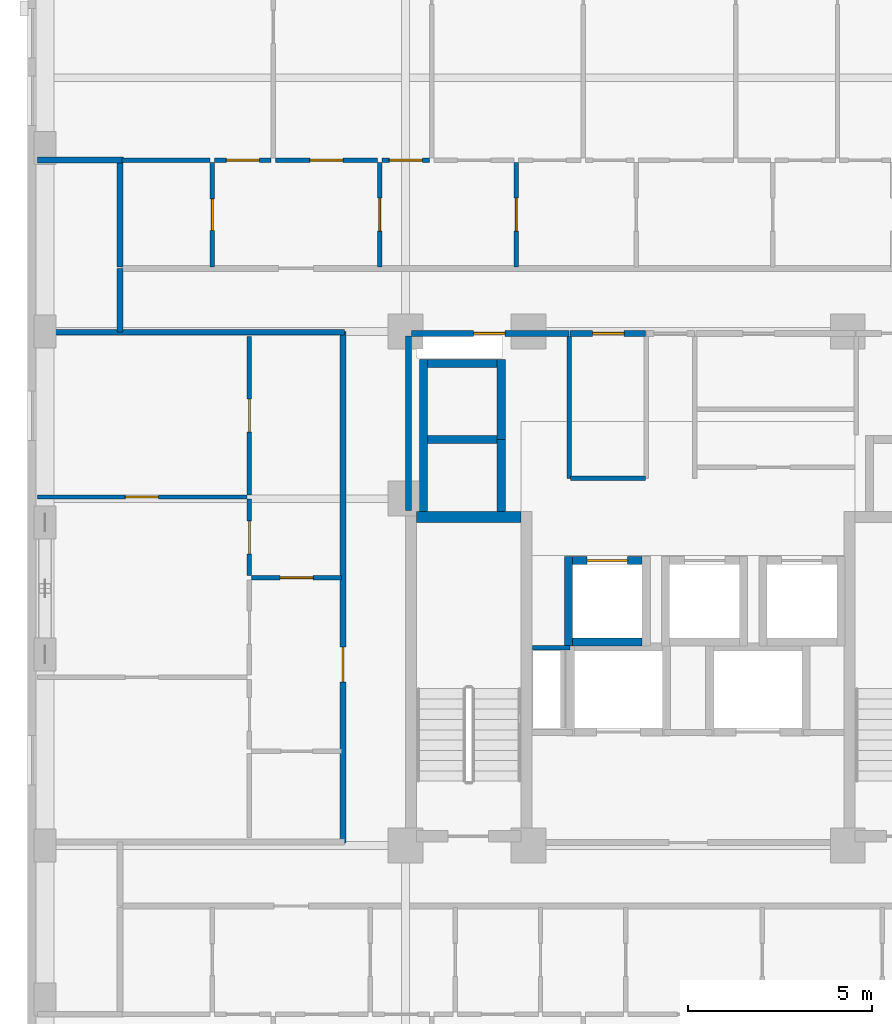
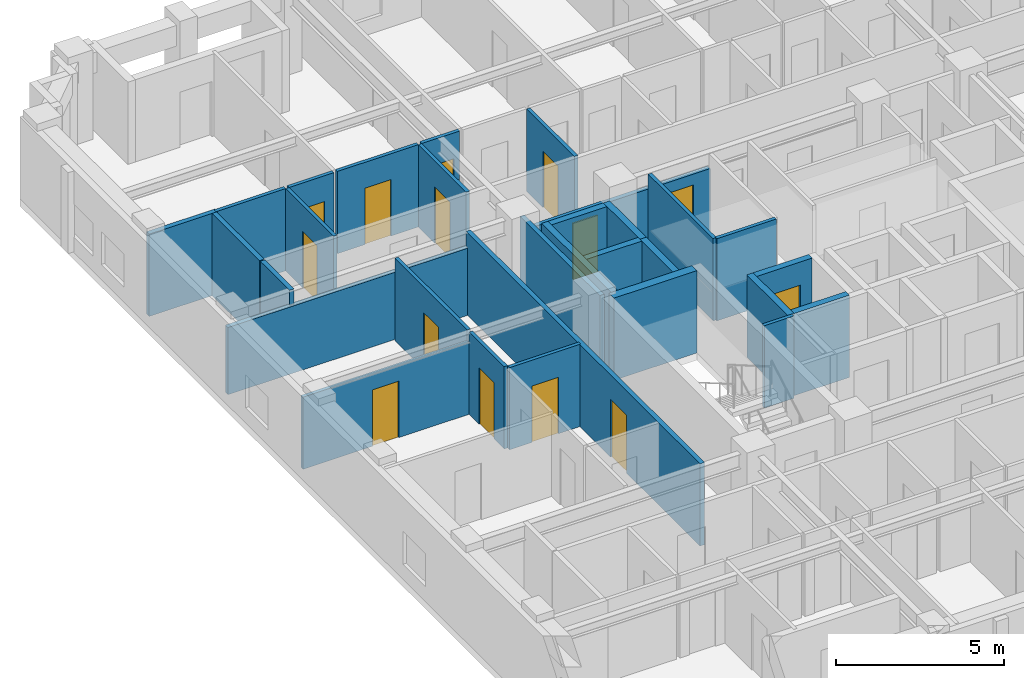
# One storey, part 5 of 11: 31 walls, 14 doors, 14 openings.
"""IFC4 building model written with IfcOpenShell, lengths in metres."""

from ifc_helpers import new_model, si_unit, derived_unit, direction, frame, frame_2d, origin, place, context, subcontext, project, spatial, rectangle, extrude, material, layer, layer_set, type_object, element, fill, save


model = new_model("IFC4")

# Units and contexts
model_context = context("Model", 3, precision=1e-05, world=origin(), true_north=direction((0.0, 1.0)))
body_context = subcontext(model_context, "Body", "Model", "MODEL_VIEW")
ifc_project = project(units=[si_unit("LENGTHUNIT", "METRE"), si_unit("AREAUNIT", "SQUARE_METRE"), si_unit("VOLUMEUNIT", "CUBIC_METRE"), si_unit("PLANEANGLEUNIT", "RADIAN"), si_unit("MASSUNIT", "GRAM", prefix="KILO"), derived_unit("THERMALTRANSMITTANCEUNIT", [(si_unit("MASSUNIT", "GRAM", prefix="KILO"), 1), (si_unit("TIMEUNIT", "SECOND"), -3), (si_unit("THERMODYNAMICTEMPERATUREUNIT", "KELVIN"), -1)])], contexts=[model_context])

# Site, building, storey
site_placement = place(None, origin())
site = spatial("IfcSite", under=ifc_project, at=site_placement, CompositionType="ELEMENT")
building_placement = place(site_placement, origin())
building = spatial("IfcBuilding", under=site, at=building_placement, Name="Korrvale Station Residences", CompositionType="ELEMENT")
storey_placement = place(building_placement, frame((0.0, 0.0, 153.64990234375)))
storey = spatial("IfcBuildingStorey", under=building, at=storey_placement, Name="L44", CompositionType="ELEMENT", Elevation=153.64990234375)

# Walls
ifc_material_1 = material(Name="Concrete C60/75", Category="concrete")
ifc_layer_1 = layer(ifc_material_1, 0.300048828125, Name="Concrete C60/75")
ifc_layer_set_1 = layer_set([ifc_layer_1], Name="Concrete C60/75")
wall_type_1 = type_object("IfcWallType", Name="WAL-CORE-300-C60", PredefinedType="SHEAR", material=ifc_layer_set_1)
wall_1_placement = place(storey_placement, frame((18.10009765625, 23.949951171875, 0.0), z_axis=(0.0, 0.0, 1.0), x_axis=(1.0, 0.0, 0.0)))
element("IfcWall", 1, at=wall_1_placement, inside=storey, type_object=wall_type_1, Name="L44 ST-1 Core Shear Wall North", PredefinedType="SHEAR", context=body_context, shape_type="SweptSolid", body=[
    extrude(rectangle(XDim=2.849853515625, YDim=0.300048828125, at=frame_2d((1.4248046875, 0.0))), origin(), (0.0, 0.0, 1.0), 2.989990234375),
])
ifc_material_2 = material(Name="Acoustic steel-stud gypsum board partition", Category="steel")
ifc_layer_2 = layer(ifc_material_2, 0.1201171875, Name="Acoustic steel-stud gypsum board partition")
ifc_layer_set_2 = layer_set([ifc_layer_2], Name="Acoustic steel-stud gypsum board partition")
wall_type_2 = type_object("IfcWallType", Name="WAL-PART-125", PredefinedType="PARTITIONING", material=ifc_layer_set_2)
wall_2_placement = place(storey_placement, frame((22.280029296875, 20.3798828125, 0.0), z_axis=(0.0, 0.0, 1.0), x_axis=(-1.0, 0.0, 0.0)))
element("IfcWall", 2, at=wall_2_placement, inside=storey, type_object=wall_type_2, Name="L44 Core Partition CW-RSWT-N", PredefinedType="PARTITIONING", context=body_context, shape_type="SweptSolid", body=[
    extrude(rectangle(XDim=1.02001953125, YDim=0.1201171875, at=frame_2d((0.510009765625, 0.0))), origin(), (0.0, 0.0, 1.0), 2.989990234375),
])
wall_3_placement = place(storey_placement, frame((22.260009765625, 25.0, 0.0), z_axis=(0.0, 0.0, 1.0), x_axis=(0.0, 1.0, 0.0)))
element("IfcWall", 3, at=wall_3_placement, inside=storey, type_object=wall_type_2, Name="L44 Core Partition CW-FPLW-W", PredefinedType="PARTITIONING", context=body_context, shape_type="SweptSolid", body=[
    extrude(rectangle(XDim=3.860107421875, YDim=0.1201171875, at=frame_2d((1.93017578125, 0.0))), origin(), (0.0, 0.0, 1.0), 2.989990234375),
])
wall_4_placement = place(storey_placement, frame((22.300048828125, 25.0, 0.0), z_axis=(0.0, 0.0, 1.0), x_axis=(1.0, 0.0, 0.0)))
element("IfcWall", 4, at=wall_4_placement, inside=storey, type_object=wall_type_2, Name="L44 Core Partition CW-FPLW-S", PredefinedType="PARTITIONING", context=body_context, shape_type="SweptSolid", body=[
    extrude(rectangle(XDim=2.0400390625, YDim=0.1201171875, at=frame_2d((1.02001953125, 0.0))), origin(), (0.0, 0.0, 1.0), 2.989990234375),
])

# Wall, opening, door
wall_5_placement = place(storey_placement, frame((12.5400390625, 30.760009765625, 0.0), z_axis=(0.0, 0.0, 1.0), x_axis=(0.0, 1.0, 0.0)))
wall_5 = element("IfcWall", 5, at=wall_5_placement, inside=storey, type_object=wall_type_2, Name="L44 Suite Partition U02-V01", PredefinedType="PARTITIONING", context=body_context, shape_type="SweptSolid", body=[
    extrude(rectangle(XDim=2.85009765625, YDim=0.1201171875, at=frame_2d((1.425048828125, 0.0))), origin(), (0.0, 0.0, 1.0), 2.989990234375),
])
opening_1_placement = place(wall_5_placement, frame((0.9951171875, 0.0, 0.0)))
opening_1 = element("IfcOpeningElement", 6, at=opening_1_placement, cuts=wall_5, Name="Opening DB-860", PredefinedType="OPENING", context=body_context, shape_type="SweptSolid", body=[
    extrude(rectangle(XDim=0.860107421875, YDim=2.050048828125, at=frame_2d((0.43017578125, 1.02490234375))), frame((0.0, 0.070068359375, 0.0), z_axis=(0.0, -1.0, 0.0), x_axis=(1.0, 0.0, 0.0)), (0.0, 0.0, 1.0), 0.14013671875),
])
ifc_material_3 = material(Name="Moisture-resistant solid-core bathroom door", Category="timber")
door_type_1 = type_object("IfcDoorType", Name="DR-BATH-860", OperationType="NOTDEFINED", PredefinedType="DOOR", material=ifc_material_3)
door_1_placement = place(opening_1_placement, origin())
door_1 = element("IfcDoor", 7, at=door_1_placement, inside=storey, type_object=door_type_1, Name="L44 Apartment 3BR L44-U02 Bathroom Door", OperationType="SINGLE_SWING_LEFT", OverallHeight=2.050048828125, OverallWidth=0.860107421875, PredefinedType="DOOR", context=body_context, shape_type="SweptSolid", body=[
    extrude(rectangle(XDim=0.860107421875, YDim=2.050048828125, at=frame_2d((0.43017578125, 1.02490234375))), frame((0.0, 0.02490234375, 0.0), z_axis=(0.0, -1.0, 0.0), x_axis=(1.0, 0.0, 0.0)), (0.0, 0.0, 1.0), 0.050048828125),
])
fill(opening_1, door_1)

# Wall
wall_6_placement = place(storey_placement, frame((10.080078125, 33.669921875, 0.0), z_axis=(0.0, 0.0, 1.0), x_axis=(1.0, 0.0, 0.0)))
element("IfcWall", 8, at=wall_6_placement, inside=storey, type_object=wall_type_2, Name="L44 Suite Partition U02-H08", PredefinedType="PARTITIONING", context=body_context, shape_type="SweptSolid", body=[
    extrude(rectangle(XDim=2.39990234375, YDim=0.1201171875, at=frame_2d((1.199951171875, 0.0))), origin(), (0.0, 0.0, 1.0), 2.989990234375),
])

# Wall, opening, door
wall_7_placement = place(storey_placement, frame((17.10009765625, 30.760009765625, 0.0), z_axis=(0.0, 0.0, 1.0), x_axis=(0.0, 1.0, 0.0)))
wall_7 = element("IfcWall", 9, at=wall_7_placement, inside=storey, type_object=wall_type_2, Name="L44 Suite Partition U02-V12", PredefinedType="PARTITIONING", context=body_context, shape_type="SweptSolid", body=[
    extrude(rectangle(XDim=2.85009765625, YDim=0.1201171875, at=frame_2d((1.425048828125, 0.0))), origin(), (0.0, 0.0, 1.0), 2.989990234375),
])
opening_2_placement = place(wall_7_placement, frame((0.97509765625, 0.0, 0.0)))
opening_2 = element("IfcOpeningElement", 10, at=opening_2_placement, cuts=wall_7, Name="Opening DI-900", PredefinedType="OPENING", context=body_context, shape_type="SweptSolid", body=[
    extrude(rectangle(XDim=0.89990234375, YDim=2.050048828125, at=frame_2d((0.449951171875, 1.02490234375))), frame((0.0, 0.070068359375, 0.0), z_axis=(0.0, -1.0, 0.0), x_axis=(1.0, 0.0, 0.0)), (0.0, 0.0, 1.0), 0.14013671875),
])
ifc_material_4 = material(Name="Painted solid-core timber interior room door", Category="wood")
door_type_2 = type_object("IfcDoorType", Name="DR-INT-900", OperationType="NOTDEFINED", PredefinedType="DOOR", material=ifc_material_4)
door_2_placement = place(opening_2_placement, origin())
door_2 = element("IfcDoor", 11, at=door_2_placement, inside=storey, type_object=door_type_2, Name="L44 Apartment 3BR L44-U02 Kitchen Door", OperationType="SINGLE_SWING_RIGHT", OverallHeight=2.050048828125, OverallWidth=0.89990234375, PredefinedType="DOOR", context=body_context, shape_type="SweptSolid", body=[
    extrude(rectangle(XDim=0.89990234375, YDim=2.050048828125, at=frame_2d((0.449951171875, 1.02490234375))), frame((0.0, 0.02490234375, 0.0), z_axis=(0.0, -1.0, 0.0), x_axis=(1.0, 0.0, 0.0)), (0.0, 0.0, 1.0), 0.050048828125),
])
fill(opening_2, door_2)

wall_8_placement = place(storey_placement, frame((12.60009765625, 33.669921875, 0.0), z_axis=(0.0, 0.0, 1.0), x_axis=(1.0, 0.0, 0.0)))
wall_8 = element("IfcWall", 12, at=wall_8_placement, inside=storey, type_object=wall_type_2, Name="L44 Suite Partition U02-H18", PredefinedType="PARTITIONING", context=body_context, shape_type="SweptSolid", body=[
    extrude(rectangle(XDim=1.539794921875, YDim=0.1201171875, at=frame_2d((0.77001953125, 0.0))), origin(), (0.0, 0.0, 1.0), 2.989990234375),
])
opening_3_placement = place(wall_8_placement, frame((0.320068359375, 0.0, 0.0)))
opening_3 = element("IfcOpeningElement", 13, at=opening_3_placement, cuts=wall_8, Name="Opening DI-900", PredefinedType="OPENING", context=body_context, shape_type="SweptSolid", body=[
    extrude(rectangle(XDim=0.89990234375, YDim=2.050048828125, at=frame_2d((0.449951171875, 1.02490234375))), frame((0.0, 0.070068359375, 0.0), z_axis=(0.0, -1.0, 0.0), x_axis=(1.0, 0.0, 0.0)), (0.0, 0.0, 1.0), 0.14013671875),
])
door_3_placement = place(opening_3_placement, origin())
door_3 = element("IfcDoor", 14, at=door_3_placement, inside=storey, type_object=door_type_2, Name="L44 Apartment 3BR L44-U02 Kitchen Door", OperationType="SINGLE_SWING_LEFT", OverallHeight=2.050048828125, OverallWidth=0.89990234375, PredefinedType="DOOR", context=body_context, shape_type="SweptSolid", body=[
    extrude(rectangle(XDim=0.89990234375, YDim=2.050048828125, at=frame_2d((0.449951171875, 1.02490234375))), frame((0.0, 0.02490234375, 0.0), z_axis=(0.0, -1.0, 0.0), x_axis=(1.0, 0.0, 0.0)), (0.0, 0.0, 1.0), 0.050048828125),
])
fill(opening_3, door_3)

wall_9_placement = place(storey_placement, frame((14.260009765625, 33.669921875, 0.0), z_axis=(0.0, 0.0, 1.0), x_axis=(1.0, 0.0, 0.0)))
wall_9 = element("IfcWall", 15, at=wall_9_placement, inside=storey, type_object=wall_type_2, Name="L44 Suite Partition U02-H19", PredefinedType="PARTITIONING", context=body_context, shape_type="SweptSolid", body=[
    extrude(rectangle(XDim=2.780029296875, YDim=0.1201171875, at=frame_2d((1.39013671875, 0.0))), origin(), (0.0, 0.0, 1.0), 2.989990234375),
])
opening_4_placement = place(wall_9_placement, frame((0.93994140625, 0.0, 0.0)))
opening_4 = element("IfcOpeningElement", 16, at=opening_4_placement, cuts=wall_9, Name="Opening DI-900", PredefinedType="OPENING", context=body_context, shape_type="SweptSolid", body=[
    extrude(rectangle(XDim=0.89990234375, YDim=2.050048828125, at=frame_2d((0.449951171875, 1.02490234375))), frame((0.0, 0.070068359375, 0.0), z_axis=(0.0, -1.0, 0.0), x_axis=(1.0, 0.0, 0.0)), (0.0, 0.0, 1.0), 0.14013671875),
])
door_4_placement = place(opening_4_placement, origin())
door_4 = element("IfcDoor", 17, at=door_4_placement, inside=storey, type_object=door_type_2, Name="L44 Apartment 3BR L44-U02 Kitchen Door", OperationType="SINGLE_SWING_RIGHT", OverallHeight=2.050048828125, OverallWidth=0.89990234375, PredefinedType="DOOR", context=body_context, shape_type="SweptSolid", body=[
    extrude(rectangle(XDim=0.89990234375, YDim=2.050048828125, at=frame_2d((0.449951171875, 1.02490234375))), frame((0.0, 0.02490234375, 0.0), z_axis=(0.0, -1.0, 0.0), x_axis=(1.0, 0.0, 0.0)), (0.0, 0.0, 1.0), 0.050048828125),
])
fill(opening_4, door_4)

wall_10_placement = place(storey_placement, frame((20.820068359375, 30.760009765625, 0.0), z_axis=(0.0, 0.0, 1.0), x_axis=(0.0, 1.0, 0.0)))
wall_10 = element("IfcWall", 18, at=wall_10_placement, inside=storey, type_object=wall_type_2, Name="L44 Suite Partition U02-V23", PredefinedType="PARTITIONING", context=body_context, shape_type="SweptSolid", body=[
    extrude(rectangle(XDim=2.85009765625, YDim=0.1201171875, at=frame_2d((1.425048828125, 0.0))), origin(), (0.0, 0.0, 1.0), 2.989990234375),
])
opening_5_placement = place(wall_10_placement, frame((0.97509765625, 0.0, 0.0)))
opening_5 = element("IfcOpeningElement", 19, at=opening_5_placement, cuts=wall_10, Name="Opening DI-900", PredefinedType="OPENING", context=body_context, shape_type="SweptSolid", body=[
    extrude(rectangle(XDim=0.89990234375, YDim=2.050048828125, at=frame_2d((0.449951171875, 1.02490234375))), frame((0.0, 0.070068359375, 0.0), z_axis=(0.0, -1.0, 0.0), x_axis=(1.0, 0.0, 0.0)), (0.0, 0.0, 1.0), 0.14013671875),
])
door_5_placement = place(opening_5_placement, origin())
door_5 = element("IfcDoor", 20, at=door_5_placement, inside=storey, type_object=door_type_2, Name="L44 Apartment 3BR L44-U02 Utility and Laundry Room Door", OperationType="SINGLE_SWING_LEFT", OverallHeight=2.050048828125, OverallWidth=0.89990234375, PredefinedType="DOOR", context=body_context, shape_type="SweptSolid", body=[
    extrude(rectangle(XDim=0.89990234375, YDim=2.050048828125, at=frame_2d((0.449951171875, 1.02490234375))), frame((0.0, 0.02490234375, 0.0), z_axis=(0.0, -1.0, 0.0), x_axis=(1.0, 0.0, 0.0)), (0.0, 0.0, 1.0), 0.050048828125),
])
fill(opening_5, door_5)

wall_11_placement = place(storey_placement, frame((17.159912109375, 33.669921875, 0.0), z_axis=(0.0, 0.0, 1.0), x_axis=(1.0, 0.0, 0.0)))
wall_11 = element("IfcWall", 21, at=wall_11_placement, inside=storey, type_object=wall_type_2, Name="L44 Suite Partition U02-H29", PredefinedType="PARTITIONING", context=body_context, shape_type="SweptSolid", body=[
    extrude(rectangle(XDim=1.300048828125, YDim=0.1201171875, at=frame_2d((0.64990234375, 0.0))), origin(), (0.0, 0.0, 1.0), 2.989990234375),
])
opening_6_placement = place(wall_11_placement, frame((0.199951171875, 0.0, 0.0)))
opening_6 = element("IfcOpeningElement", 22, at=opening_6_placement, cuts=wall_11, Name="Opening DI-900", PredefinedType="OPENING", context=body_context, shape_type="SweptSolid", body=[
    extrude(rectangle(XDim=0.89990234375, YDim=2.050048828125, at=frame_2d((0.449951171875, 1.02490234375))), frame((0.0, 0.070068359375, 0.0), z_axis=(0.0, -1.0, 0.0), x_axis=(1.0, 0.0, 0.0)), (0.0, 0.0, 1.0), 0.14013671875),
])
door_6_placement = place(opening_6_placement, origin())
door_6 = element("IfcDoor", 23, at=door_6_placement, inside=storey, type_object=door_type_2, Name="L44 Apartment 3BR L44-U02 Utility and Laundry Room Door", OperationType="SINGLE_SWING_RIGHT", OverallHeight=2.050048828125, OverallWidth=0.89990234375, PredefinedType="DOOR", context=body_context, shape_type="SweptSolid", body=[
    extrude(rectangle(XDim=0.89990234375, YDim=2.050048828125, at=frame_2d((0.449951171875, 1.02490234375))), frame((0.0, 0.02490234375, 0.0), z_axis=(0.0, -1.0, 0.0), x_axis=(1.0, 0.0, 0.0)), (0.0, 0.0, 1.0), 0.050048828125),
])
fill(opening_6, door_6)

wall_12_placement = place(storey_placement, frame((13.610107421875, 22.2900390625, 0.0), z_axis=(0.0, 0.0, 1.0), x_axis=(1.0, 0.0, 0.0)))
wall_12 = element("IfcWall", 24, at=wall_12_placement, inside=storey, type_object=wall_type_2, Name="L44 Suite Partition U03-H02", PredefinedType="PARTITIONING", context=body_context, shape_type="SweptSolid", body=[
    extrude(rectangle(XDim=2.449951171875, YDim=0.1201171875, at=frame_2d((1.22509765625, 0.0))), origin(), (0.0, 0.0, 1.0), 2.989990234375),
])
opening_7_placement = place(wall_12_placement, frame((0.77490234375, 0.0, 0.0)))
opening_7 = element("IfcOpeningElement", 25, at=opening_7_placement, cuts=wall_12, Name="Opening DI-900", PredefinedType="OPENING", context=body_context, shape_type="SweptSolid", body=[
    extrude(rectangle(XDim=0.89990234375, YDim=2.050048828125, at=frame_2d((0.449951171875, 1.02490234375))), frame((0.0, 0.070068359375, 0.0), z_axis=(0.0, -1.0, 0.0), x_axis=(1.0, 0.0, 0.0)), (0.0, 0.0, 1.0), 0.14013671875),
])
door_7_placement = place(opening_7_placement, origin())
door_7 = element("IfcDoor", 26, at=door_7_placement, inside=storey, type_object=door_type_2, Name="L44 Apartment 2BR L44-U03 Wardrobe Storage Room Door", OperationType="SINGLE_SWING_LEFT", OverallHeight=2.050048828125, OverallWidth=0.89990234375, PredefinedType="DOOR", context=body_context, shape_type="SweptSolid", body=[
    extrude(rectangle(XDim=0.89990234375, YDim=2.050048828125, at=frame_2d((0.449951171875, 1.02490234375))), frame((0.0, 0.02490234375, 0.0), z_axis=(0.0, -1.0, 0.0), x_axis=(1.0, 0.0, 0.0)), (0.0, 0.0, 1.0), 0.050048828125),
])
fill(opening_7, door_7)

wall_13_placement = place(storey_placement, frame((13.550048828125, 22.35009765625, 0.0), z_axis=(0.0, 0.0, 1.0), x_axis=(0.0, 1.0, 0.0)))
wall_13 = element("IfcWall", 27, at=wall_13_placement, inside=storey, type_object=wall_type_2, Name="L44 Suite Partition U03-V04", PredefinedType="PARTITIONING", context=body_context, shape_type="SweptSolid", body=[
    extrude(rectangle(XDim=2.081787109375, YDim=0.1201171875, at=frame_2d((1.041015625, 0.0))), origin(), (0.0, 0.0, 1.0), 2.989990234375),
])
opening_8_placement = place(wall_13_placement, frame((0.591064453125, 0.0, 0.0)))
opening_8 = element("IfcOpeningElement", 28, at=opening_8_placement, cuts=wall_13, Name="Opening DI-900", PredefinedType="OPENING", context=body_context, shape_type="SweptSolid", body=[
    extrude(rectangle(XDim=0.89990234375, YDim=2.050048828125, at=frame_2d((0.449951171875, 1.02490234375))), frame((0.0, 0.070068359375, 0.0), z_axis=(0.0, -1.0, 0.0), x_axis=(1.0, 0.0, 0.0)), (0.0, 0.0, 1.0), 0.14013671875),
])
door_8_placement = place(opening_8_placement, origin())
door_8 = element("IfcDoor", 29, at=door_8_placement, inside=storey, type_object=door_type_2, Name="L44 Apartment 2BR L44-U03 Wardrobe Storage Room Door", OperationType="SINGLE_SWING_RIGHT", OverallHeight=2.050048828125, OverallWidth=0.89990234375, PredefinedType="DOOR", context=body_context, shape_type="SweptSolid", body=[
    extrude(rectangle(XDim=0.89990234375, YDim=2.050048828125, at=frame_2d((0.449951171875, 1.02490234375))), frame((0.0, 0.02490234375, 0.0), z_axis=(0.0, -1.0, 0.0), x_axis=(1.0, 0.0, 0.0)), (0.0, 0.0, 1.0), 0.050048828125),
])
fill(opening_8, door_8)

wall_14_placement = place(storey_placement, frame((13.550048828125, 24.552001953125, 0.0), z_axis=(0.0, 0.0, 1.0), x_axis=(0.0, 1.0, 0.0)))
wall_14 = element("IfcWall", 30, at=wall_14_placement, inside=storey, type_object=wall_type_2, Name="L44 Suite Partition U03-V05", PredefinedType="PARTITIONING", context=body_context, shape_type="SweptSolid", body=[
    extrude(rectangle(XDim=4.30810546875, YDim=0.1201171875, at=frame_2d((2.154052734375, 0.0))), origin(), (0.0, 0.0, 1.0), 2.989990234375),
])
opening_9_placement = place(wall_14_placement, frame((1.7041015625, 0.0, 0.0)))
opening_9 = element("IfcOpeningElement", 31, at=opening_9_placement, cuts=wall_14, Name="Opening DI-900", PredefinedType="OPENING", context=body_context, shape_type="SweptSolid", body=[
    extrude(rectangle(XDim=0.89990234375, YDim=2.050048828125, at=frame_2d((0.449951171875, 1.02490234375))), frame((0.0, 0.070068359375, 0.0), z_axis=(0.0, -1.0, 0.0), x_axis=(1.0, 0.0, 0.0)), (0.0, 0.0, 1.0), 0.14013671875),
])
door_9_placement = place(opening_9_placement, origin())
door_9 = element("IfcDoor", 32, at=door_9_placement, inside=storey, type_object=door_type_2, Name="L44 Apartment 2BR L44-U03 Wardrobe Storage Room Door", OperationType="SINGLE_SWING_LEFT", OverallHeight=2.050048828125, OverallWidth=0.89990234375, PredefinedType="DOOR", context=body_context, shape_type="SweptSolid", body=[
    extrude(rectangle(XDim=0.89990234375, YDim=2.050048828125, at=frame_2d((0.449951171875, 1.02490234375))), frame((0.0, 0.02490234375, 0.0), z_axis=(0.0, -1.0, 0.0), x_axis=(1.0, 0.0, 0.0)), (0.0, 0.0, 1.0), 0.050048828125),
])
fill(opening_9, door_9)

wall_15_placement = place(storey_placement, frame((7.780029296875, 24.491943359375, 0.0), z_axis=(0.0, 0.0, 1.0), x_axis=(1.0, 0.0, 0.0)))
wall_15 = element("IfcWall", 33, at=wall_15_placement, inside=storey, type_object=wall_type_2, Name="L44 Suite Partition U03-H45", PredefinedType="PARTITIONING", context=body_context, shape_type="SweptSolid", body=[
    extrude(rectangle(XDim=5.7099609375, YDim=0.1201171875, at=frame_2d((2.85498046875, 0.0))), origin(), (0.0, 0.0, 1.0), 2.62109375),
])
opening_10_placement = place(wall_15_placement, frame((2.389892578125, 0.0, 0.0)))
opening_10 = element("IfcOpeningElement", 34, at=opening_10_placement, cuts=wall_15, Name="Opening DI-900", PredefinedType="OPENING", context=body_context, shape_type="SweptSolid", body=[
    extrude(rectangle(XDim=0.89990234375, YDim=2.050048828125, at=frame_2d((0.449951171875, 1.02490234375))), frame((0.0, 0.070068359375, 0.0), z_axis=(0.0, -1.0, 0.0), x_axis=(1.0, 0.0, 0.0)), (0.0, 0.0, 1.0), 0.14013671875),
])
door_10_placement = place(opening_10_placement, origin())
door_10 = element("IfcDoor", 35, at=door_10_placement, inside=storey, type_object=door_type_2, Name="L44 Apartment 2BR L44-U03 Living and Dining Room Door", OperationType="SINGLE_SWING_RIGHT", OverallHeight=2.050048828125, OverallWidth=0.89990234375, PredefinedType="DOOR", context=body_context, shape_type="SweptSolid", body=[
    extrude(rectangle(XDim=0.89990234375, YDim=2.050048828125, at=frame_2d((0.449951171875, 1.02490234375))), frame((0.0, 0.02490234375, 0.0), z_axis=(0.0, -1.0, 0.0), x_axis=(1.0, 0.0, 0.0)), (0.0, 0.0, 1.0), 0.050048828125),
])
fill(opening_10, door_10)

# Wall
ifc_material_5 = material(Name="Fire-rated twin-stud gypsum and mineral wool shaftwall assembly", Category="gypsum")
ifc_layer_3 = layer(ifc_material_5, 0.159912109375, Name="Fire-rated twin-stud gypsum and mineral wool shaftwall assembly")
ifc_layer_set_3 = layer_set([ifc_layer_3], Name="Fire-rated twin-stud gypsum and mineral wool shaftwall assembly")
wall_type_3 = type_object("IfcWallType", Name="WAL-PART-200", PredefinedType="PARTITIONING", material=ifc_layer_set_3)
wall_16_placement = place(storey_placement, frame((17.8798828125, 24.1201171875, 0.0), z_axis=(0.0, 0.0, 1.0), x_axis=(0.0, 1.0, 0.0)))
element("IfcWall", 36, at=wall_16_placement, inside=storey, type_object=wall_type_3, Name="L44 Core Partition CW-W-N", PredefinedType="PARTITIONING", context=body_context, shape_type="SweptSolid", body=[
    extrude(rectangle(XDim=4.759765625, YDim=0.159912109375, at=frame_2d((2.3798828125, 0.0))), origin(), (0.0, 0.0, 1.0), 2.989990234375),
])

# Wall, opening, door
wall_17_placement = place(storey_placement, frame((17.9599609375, 28.949951171875, 0.0), z_axis=(0.0, 0.0, 1.0), x_axis=(1.0, 0.0, 0.0)))
wall_17 = element("IfcWall", 37, at=wall_17_placement, inside=storey, type_object=wall_type_3, Name="L44 Core Partition CW-NW", PredefinedType="PARTITIONING", context=body_context, shape_type="SweptSolid", body=[
    extrude(rectangle(XDim=4.2900390625, YDim=0.159912109375, at=frame_2d((2.14501953125, 0.0))), origin(), (0.0, 0.0, 1.0), 2.442138671875),
])
opening_11_placement = place(wall_17_placement, frame((1.695068359375, 0.0, 0.0)))
opening_11 = element("IfcOpeningElement", 38, at=opening_11_placement, cuts=wall_17, Name="Opening DB-860", PredefinedType="OPENING", context=body_context, shape_type="SweptSolid", body=[
    extrude(rectangle(XDim=0.860107421875, YDim=2.050048828125, at=frame_2d((0.43017578125, 1.02490234375))), frame((0.0, 0.08984375, 0.0), z_axis=(0.0, -1.0, 0.0), x_axis=(1.0, 0.0, 0.0)), (0.0, 0.0, 1.0), 0.179931640625),
])
door_11_placement = place(opening_11_placement, origin())
door_11 = element("IfcDoor", 39, at=door_11_placement, inside=storey, type_object=door_type_1, Name="L44 Electrical Riser Access Door", OperationType="SINGLE_SWING_LEFT", OverallHeight=2.050048828125, OverallWidth=0.860107421875, PredefinedType="DOOR", context=body_context, shape_type="SweptSolid", body=[
    extrude(rectangle(XDim=0.860107421875, YDim=2.050048828125, at=frame_2d((0.43017578125, 1.02490234375))), frame((0.0, 0.02490234375, 0.0), z_axis=(0.0, -1.0, 0.0), x_axis=(1.0, 0.0, 0.0)), (0.0, 0.0, 1.0), 0.050048828125),
])
fill(opening_11, door_11)

wall_18_placement = place(storey_placement, frame((22.280029296875, 28.949951171875, 0.0), z_axis=(0.0, 0.0, 1.0), x_axis=(1.0, 0.0, 0.0)))
wall_18 = element("IfcWall", 40, at=wall_18_placement, inside=storey, type_object=wall_type_3, Name="L44 Core Partition CW-FPLW-N", PredefinedType="PARTITIONING", context=body_context, shape_type="SweptSolid", body=[
    extrude(rectangle(XDim=2.06005859375, YDim=0.159912109375, at=frame_2d((1.030029296875, 0.0))), origin(), (0.0, 0.0, 1.0), 2.442138671875),
])
opening_12_placement = place(wall_18_placement, frame((0.6201171875, 0.0, 0.0)))
opening_12 = element("IfcOpeningElement", 41, at=opening_12_placement, cuts=wall_18, Name="Opening DB-860", PredefinedType="OPENING", context=body_context, shape_type="SweptSolid", body=[
    extrude(rectangle(XDim=0.860107421875, YDim=2.050048828125, at=frame_2d((0.43017578125, 1.02490234375))), frame((0.0, 0.08984375, 0.0), z_axis=(0.0, -1.0, 0.0), x_axis=(1.0, 0.0, 0.0)), (0.0, 0.0, 1.0), 0.179931640625),
])
door_12_placement = place(opening_12_placement, origin())
door_12 = element("IfcDoor", 42, at=door_12_placement, inside=storey, type_object=door_type_1, Name="L44 Resident Parcel Room Door", OperationType="SINGLE_SWING_RIGHT", OverallHeight=2.050048828125, OverallWidth=0.860107421875, PredefinedType="DOOR", context=body_context, shape_type="SweptSolid", body=[
    extrude(rectangle(XDim=0.860107421875, YDim=2.050048828125, at=frame_2d((0.43017578125, 1.02490234375))), frame((0.0, 0.02490234375, 0.0), z_axis=(0.0, -1.0, 0.0), x_axis=(1.0, 0.0, 0.0)), (0.0, 0.0, 1.0), 0.050048828125),
])
fill(opening_12, door_12)

# Walls
wall_19_placement = place(storey_placement, frame((10.02001953125, 28.97998046875, 0.0), z_axis=(0.0, 0.0, 1.0), x_axis=(0.0, 1.0, 0.0)))
element("IfcWall", 43, at=wall_19_placement, inside=storey, type_object=wall_type_3, Name="L44 Corridor North West Cap", PredefinedType="PARTITIONING", context=body_context, shape_type="SweptSolid", body=[
    extrude(rectangle(XDim=1.739990234375, YDim=0.159912109375, at=frame_2d((0.8701171875, 0.0))), origin(), (0.0, 0.0, 1.0), 2.989990234375),
])
wall_20_placement = place(storey_placement, frame((7.780029296875, 28.97998046875, 0.0), z_axis=(0.0, 0.0, 1.0), x_axis=(1.0, 0.0, 0.0)))
element("IfcWall", 44, at=wall_20_placement, inside=storey, type_object=wall_type_3, Name="L44 West Wing North Corridor Wall", PredefinedType="PARTITIONING", context=body_context, shape_type="SweptSolid", body=[
    extrude(rectangle(XDim=8.35986328125, YDim=0.159912109375, at=frame_2d((4.179931640625, 0.0))), origin(), (0.0, 0.0, 1.0), 2.442138671875),
])
wall_21_placement = place(storey_placement, frame((7.780029296875, 33.669921875, 0.0), z_axis=(0.0, 0.0, 1.0), x_axis=(1.0, 0.0, 0.0)))
element("IfcWall", 45, at=wall_21_placement, inside=storey, type_object=wall_type_3, Name="L44 Corner Step Wall U02-L", PredefinedType="PARTITIONING", context=body_context, shape_type="SweptSolid", body=[
    extrude(rectangle(XDim=2.340087890625, YDim=0.159912109375, at=frame_2d((1.169921875, 0.0))), origin(), (0.0, 0.0, 1.0), 2.989990234375),
])
wall_22_placement = place(storey_placement, frame((10.02001953125, 30.760009765625, 0.0), z_axis=(0.0, 0.0, 1.0), x_axis=(0.0, 1.0, 0.0)))
element("IfcWall", 46, at=wall_22_placement, inside=storey, type_object=wall_type_3, Name="L44 Corner Step Cheek U02-L", PredefinedType="PARTITIONING", context=body_context, shape_type="SweptSolid", body=[
    extrude(rectangle(XDim=2.909912109375, YDim=0.159912109375, at=frame_2d((1.455078125, 0.0))), origin(), (0.0, 0.0, 1.0), 2.989990234375),
])

# Wall, opening, door
wall_23_placement = place(storey_placement, frame((16.10009765625, 15.070068359375, 0.0), z_axis=(0.0, 0.0, 1.0), x_axis=(0.0, 1.0, 0.0)))
wall_23 = element("IfcWall", 47, at=wall_23_placement, inside=storey, type_object=wall_type_3, Name="L44 Rated Corridor Wall W", PredefinedType="PARTITIONING", context=body_context, shape_type="SweptSolid", body=[
    extrude(rectangle(XDim=13.929931640625, YDim=0.159912109375, at=frame_2d((6.96484375, 0.0))), origin(), (0.0, 0.0, 1.0), 2.989990234375),
])
opening_13_placement = place(wall_23_placement, frame((4.385009765625, 0.0, 0.0)))
opening_13 = element("IfcOpeningElement", 48, at=opening_13_placement, cuts=wall_23, Name="Opening UD-950", PredefinedType="OPENING", context=body_context, shape_type="SweptSolid", body=[
    extrude(rectangle(XDim=0.949951171875, YDim=2.10009765625, at=frame_2d((0.47509765625, 1.050048828125))), frame((0.0, 0.08984375, 0.0), z_axis=(0.0, -1.0, 0.0), x_axis=(1.0, 0.0, 0.0)), (0.0, 0.0, 1.0), 0.179931640625),
])
ifc_material_6 = material(Name="Solid-core acoustic oak apartment entrance door", Category="timber")
door_type_3 = type_object("IfcDoorType", Name="DR-UNIT-950", OperationType="NOTDEFINED", PredefinedType="DOOR", material=ifc_material_6)
door_13_placement = place(opening_13_placement, origin())
door_13 = element("IfcDoor", 49, at=door_13_placement, inside=storey, type_object=door_type_3, Name="L44 Apartment L44-U03 Entrance Door", OperationType="SINGLE_SWING_RIGHT", OverallHeight=2.10009765625, OverallWidth=0.949951171875, PredefinedType="DOOR", context=body_context, shape_type="SweptSolid", body=[
    extrude(rectangle(XDim=0.949951171875, YDim=2.10009765625, at=frame_2d((0.47509765625, 1.050048828125))), frame((0.0, 0.02490234375, 0.0), z_axis=(0.0, -1.0, 0.0), x_axis=(1.0, 0.0, 0.0)), (0.0, 0.0, 1.0), 0.050048828125),
])
fill(opening_13, door_13)

# Wall
ifc_layer_4 = layer(ifc_material_1, 0.219970703125, Name="Concrete C60/75")
ifc_layer_set_4 = layer_set([ifc_layer_4], Name="Concrete C60/75")
wall_type_4 = type_object("IfcWallType", Name="WAL-SHAFT-220-C60", PredefinedType="SHEAR", material=ifc_layer_set_4)
wall_24_placement = place(storey_placement, frame((22.35009765625, 20.5400390625, 0.0), z_axis=(0.0, 0.0, 1.0), x_axis=(1.0, 0.0, 0.0)))
element("IfcWall", 50, at=wall_24_placement, inside=storey, type_object=wall_type_4, Name="L44 Elevator PM-1 Hoistway Wall South", PredefinedType="SHEAR", context=body_context, shape_type="SweptSolid", body=[
    extrude(rectangle(XDim=1.89990234375, YDim=0.219970703125, at=frame_2d((0.949951171875, 0.0))), origin(), (0.0, 0.0, 1.0), 2.989990234375),
])

# Wall, opening, door
wall_25_placement = place(storey_placement, frame((22.35009765625, 22.760009765625, 0.0), z_axis=(0.0, 0.0, 1.0), x_axis=(1.0, 0.0, 0.0)))
wall_25 = element("IfcWall", 51, at=wall_25_placement, inside=storey, type_object=wall_type_4, Name="L44 Elevator PM-1 Hoistway Wall North", PredefinedType="SHEAR", context=body_context, shape_type="SweptSolid", body=[
    extrude(rectangle(XDim=1.89990234375, YDim=0.219970703125, at=frame_2d((0.949951171875, 0.0))), origin(), (0.0, 0.0, 1.0), 2.989990234375),
])
opening_14_placement = place(wall_25_placement, frame((0.39990234375, 0.0, 0.0)))
opening_14 = element("IfcOpeningElement", 52, at=opening_14_placement, cuts=wall_25, Name="Opening LD-1100", PredefinedType="OPENING", context=body_context, shape_type="SweptSolid", body=[
    extrude(rectangle(XDim=1.10009765625, YDim=2.14990234375, at=frame_2d((0.550048828125, 1.074951171875))), frame((0.0, 0.1201171875, 0.0), z_axis=(0.0, -1.0, 0.0), x_axis=(1.0, 0.0, 0.0)), (0.0, 0.0, 1.0), 0.239990234375),
])
ifc_material_7 = material(Name="Brushed stainless-steel elevator landing sliding door", Category="steel")
door_type_4 = type_object("IfcDoorType", Name="DR-LIFT-1100", OperationType="SLIDING_TO_LEFT", PredefinedType="DOOR", material=ifc_material_7)
door_14_placement = place(opening_14_placement, origin())
door_14 = element("IfcDoor", 53, at=door_14_placement, inside=storey, type_object=door_type_4, Name="L44 Elevator PM-1 Sliding Landing Door", OperationType="SLIDING_TO_LEFT", OverallHeight=2.14990234375, OverallWidth=1.10009765625, PredefinedType="DOOR", context=body_context, shape_type="SweptSolid", body=[
    extrude(rectangle(XDim=1.10009765625, YDim=2.14990234375, at=frame_2d((0.550048828125, 1.074951171875))), frame((0.0, 0.02490234375, 0.0), z_axis=(0.0, -1.0, 0.0), x_axis=(1.0, 0.0, 0.0)), (0.0, 0.0, 1.0), 0.050048828125),
])
fill(opening_14, door_14)

# Walls
wall_26_placement = place(storey_placement, frame((22.239990234375, 20.429931640625, 0.0), z_axis=(0.0, 0.0, 1.0), x_axis=(0.0, 1.0, 0.0)))
element("IfcWall", 54, at=wall_26_placement, inside=storey, type_object=wall_type_4, Name="L44 Elevator PM-1 Hoistway Wall West", PredefinedType="SHEAR", context=body_context, shape_type="SweptSolid", body=[
    extrude(rectangle(XDim=2.440185546875, YDim=0.219970703125, at=frame_2d((1.22021484375, 0.0))), origin(), (0.0, 0.0, 1.0), 2.989990234375),
])
wall_27_placement = place(storey_placement, frame((18.2900390625, 24.10009765625, 0.0), z_axis=(0.0, 0.0, 1.0), x_axis=(0.0, 1.0, 0.0)))
element("IfcWall", 55, at=wall_27_placement, inside=storey, type_object=wall_type_4, Name="L44 Elevator PH-1 Hoistway Wall West", PredefinedType="SHEAR", context=body_context, shape_type="SweptSolid", body=[
    extrude(rectangle(XDim=4.139892578125, YDim=0.219970703125, at=frame_2d((2.06982421875, 0.0))), origin(), (0.0, 0.0, 1.0), 2.989990234375),
])
wall_28_placement = place(storey_placement, frame((20.409912109375, 24.10009765625, 0.0), z_axis=(0.0, 0.0, 1.0), x_axis=(0.0, 1.0, 0.0)))
element("IfcWall", 56, at=wall_28_placement, inside=storey, type_object=wall_type_4, Name="L44 Elevator PH-1 Hoistway Wall East", PredefinedType="SHEAR", context=body_context, shape_type="SweptSolid", body=[
    extrude(rectangle(XDim=1.9599609375, YDim=0.219970703125, at=frame_2d((0.97998046875, 0.0))), origin(), (0.0, 0.0, 1.0), 2.989990234375),
])
for number, where, z_axis, x_axis, name in (
    (57, (18.39990234375, 26.06005859375, 0.0), (0.0, 0.0, 1.0), (1.0, 0.0, 0.0), "L44 Elevator PH-2 Hoistway Wall South"),
    (58, (18.39990234375, 28.1298828125, 0.0), (0.0, 0.0, 1.0), (1.0, 0.0, 0.0), "L44 Elevator PH-2 Hoistway Wall North"),
):
    element("IfcWall", number, at=place(storey_placement, frame(where, z_axis=z_axis, x_axis=x_axis)), inside=storey, type_object=wall_type_4, Name=name, PredefinedType="SHEAR", context=body_context, shape_type="SweptSolid", body=[
        extrude(rectangle(XDim=1.900146484375, YDim=0.219970703125, at=frame_2d((0.9501953125, 0.0))), origin(), (0.0, 0.0, 1.0), 2.989990234375),
    ])
wall_29_placement = place(storey_placement, frame((20.409912109375, 26.06005859375, 0.0), z_axis=(0.0, 0.0, 1.0), x_axis=(0.0, 1.0, 0.0)))
element("IfcWall", 59, at=wall_29_placement, inside=storey, type_object=wall_type_4, Name="L44 Elevator PH-2 Hoistway Wall East", PredefinedType="SHEAR", context=body_context, shape_type="SweptSolid", body=[
    extrude(rectangle(XDim=2.179931640625, YDim=0.219970703125, at=frame_2d((1.08984375, 0.0))), origin(), (0.0, 0.0, 1.0), 2.989990234375),
])

save(model, "model.ifc")
